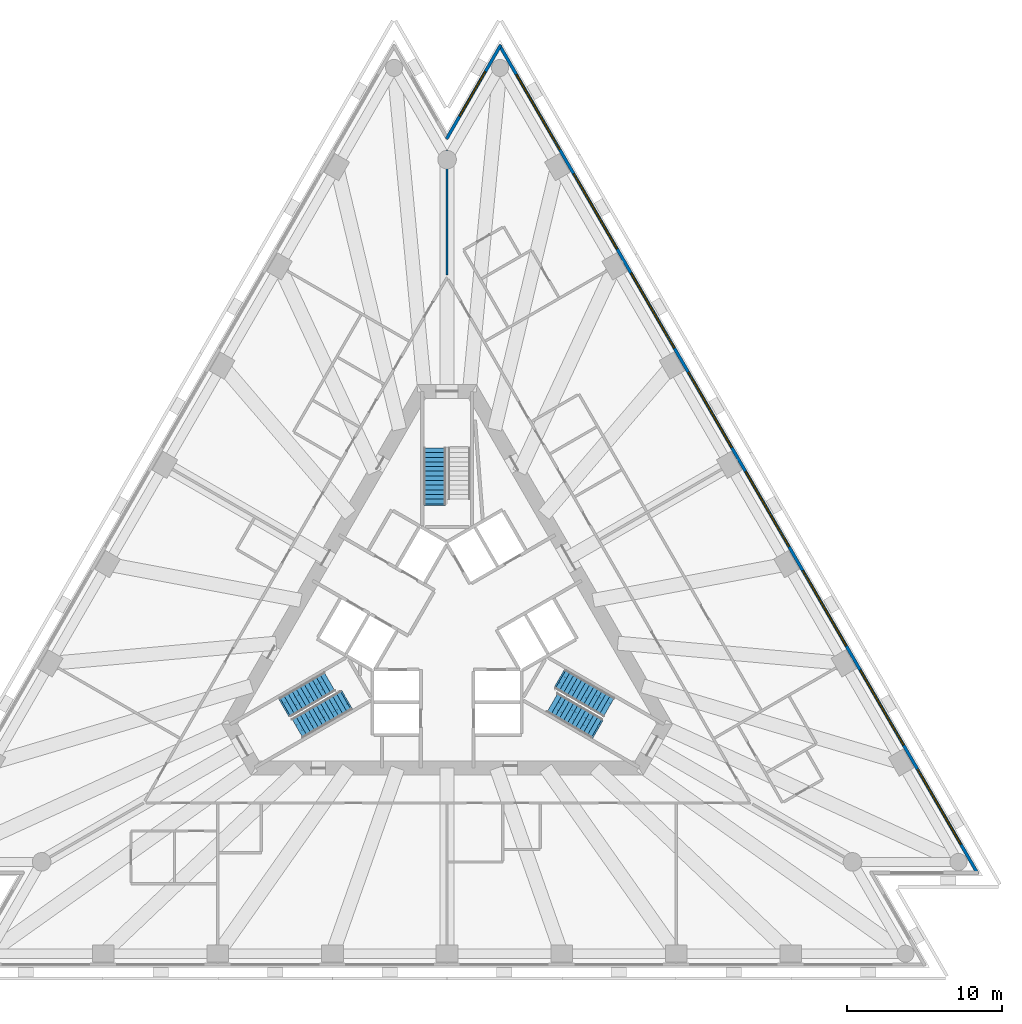
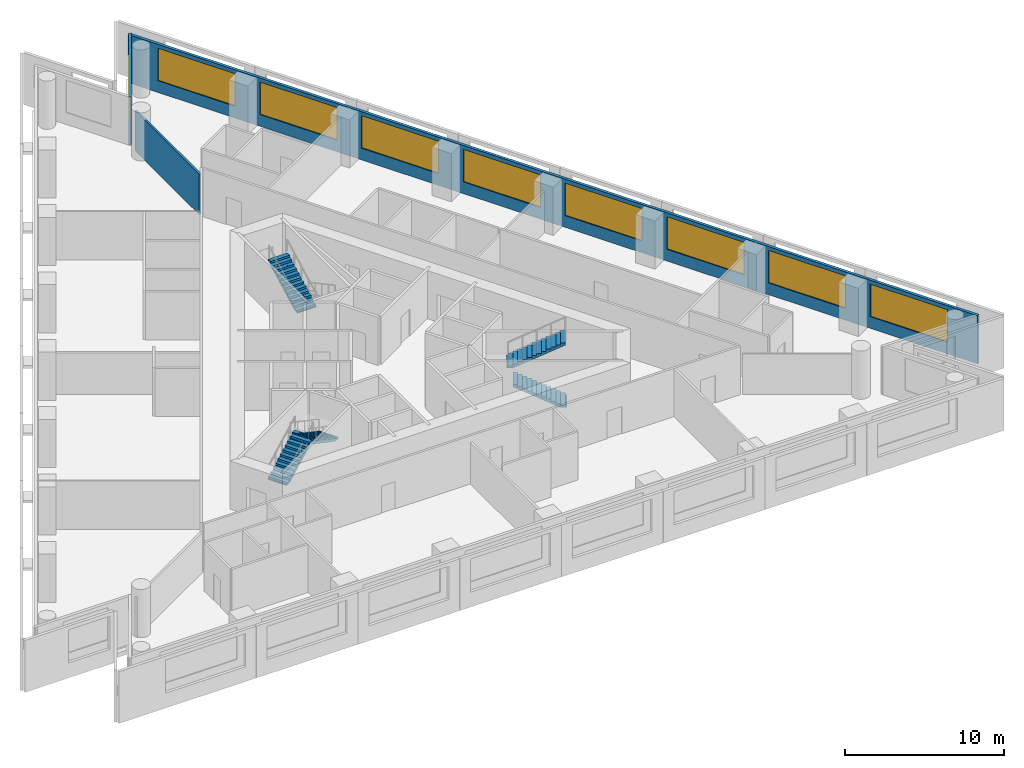
# One storey, part 8 of 11: 9 windows, 5 stair flights, 3 walls, 9 openings, 3 elements without a shape of their own.
"""IFC4 building model written with IfcOpenShell, lengths in metres."""

from ifc_helpers import new_model, si_unit, direction, frame, frame_2d, origin, place, context, subcontext, project, spatial, polyline, rectangle, outline, extrude, material, layer, layer_set, layer_usage, type_object, element, fill, aggregate, save


model = new_model("IFC4")

# Units and contexts
model_context = context("Model", 3, precision=1e-05, world=origin(), true_north=direction((0.0, 1.0)))
body_context = subcontext(model_context, "Body", "Model", "MODEL_VIEW")
ifc_project = project(units=[si_unit("LENGTHUNIT", "METRE"), si_unit("AREAUNIT", "SQUARE_METRE"), si_unit("VOLUMEUNIT", "CUBIC_METRE"), si_unit("PLANEANGLEUNIT", "RADIAN"), si_unit("MASSUNIT", "GRAM", prefix="KILO")], contexts=[model_context])

# Site, building, storey
site_placement = place(None, origin())
site = spatial("IfcSite", under=ifc_project, at=site_placement, CompositionType="ELEMENT")
building_placement = place(site_placement, origin())
building = spatial("IfcBuilding", under=site, at=building_placement, Name="Triada Interchange Tower", CompositionType="ELEMENT")
storey_placement = place(building_placement, frame((0.0, 0.0, 63.300048828125)))
storey = spatial("IfcBuildingStorey", under=building, at=storey_placement, Name="L13", CompositionType="ELEMENT", Elevation=63.300048828125)

# Wall, openings, windows
ifc_material_1 = material(Name="Cement board")
ifc_layer_1 = layer(ifc_material_1, 0.02001953125, Name="Cement board cladding")
ifc_material_2 = material(Name="Sheathing board")
ifc_layer_2 = layer(ifc_material_2, 0.014892578125, Name="Sheathing board")
ifc_material_3 = material(Name="Mineral wool")
ifc_layer_3 = layer(ifc_material_3, 0.14990234375, Name="Mineral wool between steel studs")
ifc_material_4 = material(Name="Gypsum board")
ifc_layer_4 = layer(ifc_material_4, 0.014892578125, Name="Plasterboard lining")
ifc_layer_set_1 = layer_set([ifc_layer_1, ifc_layer_2, ifc_layer_3, ifc_layer_4], Name="External wall 200")
ifc_layer_usage = layer_usage(ifc_layer_set_1, "AXIS2", "POSITIVE", -0.10009765625)
wall_type_1 = type_object("IfcWallType", Name="External wall 200", PredefinedType="ELEMENTEDWALL", material=ifc_layer_set_1)
wall_1_placement = place(storey_placement, frame((34.240966796875, -15.8759765625, 0.0), z_axis=(0.0, 0.0, 1.0), x_axis=(-0.500006313899, 0.866021758423, 0.0)))
wall_1 = element("IfcWall", 1, at=wall_1_placement, inside=storey, type_object=wall_type_1, material=ifc_layer_usage, Name="External wall L13 NE", PredefinedType="ELEMENTEDWALL", context=body_context, shape_type="SweptSolid", body=[
    extrude(rectangle(XDim=61.718994140625, YDim=0.199951171875, at=frame_2d((30.859375, 0.0))), origin(), (0.0, 0.0, 1.0), 3.699951171875),
])
opening_1_placement = place(wall_1_placement, frame((2.198974609375, 0.0, 0.89990234375)))
opening_1 = element("IfcOpeningElement", 2, at=opening_1_placement, cuts=wall_1, Name="Opening WA21", PredefinedType="OPENING", context=body_context, shape_type="SweptSolid", body=[
    extrude(rectangle(XDim=5.60009765625, YDim=2.5, at=frame_2d((2.800048828125, 1.25))), frame((0.0, 0.10986328125, 0.0), z_axis=(0.0, -1.0, 0.0), x_axis=(1.0, 0.0, 0.0)), (0.0, 0.0, 1.0), 0.219970703125),
])
opening_2_placement = place(wall_1_placement, frame((9.590087890625, 0.0, 0.89990234375)))
opening_2 = element("IfcOpeningElement", 3, at=opening_2_placement, cuts=wall_1, Name="Opening WA22", PredefinedType="OPENING", context=body_context, shape_type="SweptSolid", body=[
    extrude(rectangle(XDim=5.60009765625, YDim=2.5, at=frame_2d((2.800048828125, 1.25))), frame((0.0, 0.10986328125, 0.0), z_axis=(0.0, -1.0, 0.0), x_axis=(1.0, 0.0, 0.0)), (0.0, 0.0, 1.0), 0.219970703125),
])
opening_3_placement = place(wall_1_placement, frame((16.98193359375, 0.0, 0.89990234375)))
opening_3 = element("IfcOpeningElement", 4, at=opening_3_placement, cuts=wall_1, Name="Opening WA23", PredefinedType="OPENING", context=body_context, shape_type="SweptSolid", body=[
    extrude(rectangle(XDim=5.60009765625, YDim=2.5, at=frame_2d((2.800048828125, 1.25))), frame((0.0, 0.10986328125, 0.0), z_axis=(0.0, -1.0, 0.0), x_axis=(1.0, 0.0, 0.0)), (0.0, 0.0, 1.0), 0.219970703125),
])
opening_4_placement = place(wall_1_placement, frame((24.3740234375, 0.0, 0.89990234375)))
opening_4 = element("IfcOpeningElement", 5, at=opening_4_placement, cuts=wall_1, Name="Opening WA24", PredefinedType="OPENING", context=body_context, shape_type="SweptSolid", body=[
    extrude(rectangle(XDim=5.60009765625, YDim=2.5, at=frame_2d((2.800048828125, 1.25))), frame((0.0, 0.10986328125, 0.0), z_axis=(0.0, -1.0, 0.0), x_axis=(1.0, 0.0, 0.0)), (0.0, 0.0, 1.0), 0.219970703125),
])
opening_5_placement = place(wall_1_placement, frame((31.764892578125, 0.0, 0.89990234375)))
opening_5 = element("IfcOpeningElement", 6, at=opening_5_placement, cuts=wall_1, Name="Opening WA25", PredefinedType="OPENING", context=body_context, shape_type="SweptSolid", body=[
    extrude(rectangle(XDim=5.60009765625, YDim=2.5, at=frame_2d((2.800048828125, 1.25))), frame((0.0, 0.10986328125, 0.0), z_axis=(0.0, -1.0, 0.0), x_axis=(1.0, 0.0, 0.0)), (0.0, 0.0, 1.0), 0.219970703125),
])
opening_6_placement = place(wall_1_placement, frame((39.156982421875, 0.0, 0.89990234375)))
opening_6 = element("IfcOpeningElement", 7, at=opening_6_placement, cuts=wall_1, Name="Opening WA26", PredefinedType="OPENING", context=body_context, shape_type="SweptSolid", body=[
    extrude(rectangle(XDim=5.60009765625, YDim=2.5, at=frame_2d((2.800048828125, 1.25))), frame((0.0, 0.10986328125, 0.0), z_axis=(0.0, -1.0, 0.0), x_axis=(1.0, 0.0, 0.0)), (0.0, 0.0, 1.0), 0.219970703125),
])
opening_7_placement = place(wall_1_placement, frame((46.549072265625, 0.0, 0.89990234375)))
opening_7 = element("IfcOpeningElement", 8, at=opening_7_placement, cuts=wall_1, Name="Opening WA27", PredefinedType="OPENING", context=body_context, shape_type="SweptSolid", body=[
    extrude(rectangle(XDim=5.60009765625, YDim=2.5, at=frame_2d((2.800048828125, 1.25))), frame((0.0, 0.10986328125, 0.0), z_axis=(0.0, -1.0, 0.0), x_axis=(1.0, 0.0, 0.0)), (0.0, 0.0, 1.0), 0.219970703125),
])
opening_8_placement = place(wall_1_placement, frame((53.93994140625, 0.0, 0.89990234375)))
opening_8 = element("IfcOpeningElement", 9, at=opening_8_placement, cuts=wall_1, Name="Opening WA28", PredefinedType="OPENING", context=body_context, shape_type="SweptSolid", body=[
    extrude(rectangle(XDim=5.60009765625, YDim=2.5, at=frame_2d((2.800048828125, 1.25))), frame((0.0, 0.10986328125, 0.0), z_axis=(0.0, -1.0, 0.0), x_axis=(1.0, 0.0, 0.0)), (0.0, 0.0, 1.0), 0.219970703125),
])
ifc_material_5 = material(Name="Double glazed aluminium window", Category="aluminium")
window_type_1 = type_object("IfcWindowType", Name="Ribbon window A face", PartitioningType="SINGLE_PANEL", PredefinedType="WINDOW", material=ifc_material_5)
window_1_placement = place(opening_1_placement, origin())
window_1 = element("IfcWindow", 10, at=window_1_placement, inside=storey, type_object=window_type_1, Name="Window L13 NE 1", OverallHeight=2.5, OverallWidth=5.60009765625, PartitioningType="SINGLE_PANEL", PredefinedType="WINDOW", context=body_context, shape_type="SweptSolid", body=[
    extrude(rectangle(XDim=5.60009765625, YDim=2.5, at=frame_2d((2.800048828125, 1.25))), frame((0.0, 0.030029296875, 0.0), z_axis=(0.0, -1.0, 0.0), x_axis=(1.0, 0.0, 0.0)), (0.0, 0.0, 1.0), 0.06005859375),
])
fill(opening_1, window_1)
window_2_placement = place(opening_2_placement, origin())
window_2 = element("IfcWindow", 11, at=window_2_placement, inside=storey, type_object=window_type_1, Name="Window L13 NE 2", OverallHeight=2.5, OverallWidth=5.60009765625, PartitioningType="SINGLE_PANEL", PredefinedType="WINDOW", context=body_context, shape_type="SweptSolid", body=[
    extrude(rectangle(XDim=5.60009765625, YDim=2.5, at=frame_2d((2.800048828125, 1.25))), frame((0.0, 0.030029296875, 0.0), z_axis=(0.0, -1.0, 0.0), x_axis=(1.0, 0.0, 0.0)), (0.0, 0.0, 1.0), 0.06005859375),
])
fill(opening_2, window_2)
window_3_placement = place(opening_3_placement, origin())
window_3 = element("IfcWindow", 12, at=window_3_placement, inside=storey, type_object=window_type_1, Name="Window L13 NE 3", OverallHeight=2.5, OverallWidth=5.60009765625, PartitioningType="SINGLE_PANEL", PredefinedType="WINDOW", context=body_context, shape_type="SweptSolid", body=[
    extrude(rectangle(XDim=5.60009765625, YDim=2.5, at=frame_2d((2.800048828125, 1.25))), frame((0.0, 0.030029296875, 0.0), z_axis=(0.0, -1.0, 0.0), x_axis=(1.0, 0.0, 0.0)), (0.0, 0.0, 1.0), 0.06005859375),
])
fill(opening_3, window_3)
window_4_placement = place(opening_4_placement, origin())
window_4 = element("IfcWindow", 13, at=window_4_placement, inside=storey, type_object=window_type_1, Name="Window L13 NE 4", OverallHeight=2.5, OverallWidth=5.60009765625, PartitioningType="SINGLE_PANEL", PredefinedType="WINDOW", context=body_context, shape_type="SweptSolid", body=[
    extrude(rectangle(XDim=5.60009765625, YDim=2.5, at=frame_2d((2.800048828125, 1.25))), frame((0.0, 0.030029296875, 0.0), z_axis=(0.0, -1.0, 0.0), x_axis=(1.0, 0.0, 0.0)), (0.0, 0.0, 1.0), 0.06005859375),
])
fill(opening_4, window_4)
window_5_placement = place(opening_5_placement, origin())
window_5 = element("IfcWindow", 14, at=window_5_placement, inside=storey, type_object=window_type_1, Name="Window L13 NE 5", OverallHeight=2.5, OverallWidth=5.60009765625, PartitioningType="SINGLE_PANEL", PredefinedType="WINDOW", context=body_context, shape_type="SweptSolid", body=[
    extrude(rectangle(XDim=5.60009765625, YDim=2.5, at=frame_2d((2.800048828125, 1.25))), frame((0.0, 0.030029296875, 0.0), z_axis=(0.0, -1.0, 0.0), x_axis=(1.0, 0.0, 0.0)), (0.0, 0.0, 1.0), 0.06005859375),
])
fill(opening_5, window_5)
window_6_placement = place(opening_6_placement, origin())
window_6 = element("IfcWindow", 15, at=window_6_placement, inside=storey, type_object=window_type_1, Name="Window L13 NE 6", OverallHeight=2.5, OverallWidth=5.60009765625, PartitioningType="SINGLE_PANEL", PredefinedType="WINDOW", context=body_context, shape_type="SweptSolid", body=[
    extrude(rectangle(XDim=5.60009765625, YDim=2.5, at=frame_2d((2.800048828125, 1.25))), frame((0.0, 0.030029296875, 0.0), z_axis=(0.0, -1.0, 0.0), x_axis=(1.0, 0.0, 0.0)), (0.0, 0.0, 1.0), 0.06005859375),
])
fill(opening_6, window_6)
window_7_placement = place(opening_7_placement, origin())
window_7 = element("IfcWindow", 16, at=window_7_placement, inside=storey, type_object=window_type_1, Name="Window L13 NE 7", OverallHeight=2.5, OverallWidth=5.60009765625, PartitioningType="SINGLE_PANEL", PredefinedType="WINDOW", context=body_context, shape_type="SweptSolid", body=[
    extrude(rectangle(XDim=5.60009765625, YDim=2.5, at=frame_2d((2.800048828125, 1.25))), frame((0.0, 0.030029296875, 0.0), z_axis=(0.0, -1.0, 0.0), x_axis=(1.0, 0.0, 0.0)), (0.0, 0.0, 1.0), 0.06005859375),
])
fill(opening_7, window_7)
window_8_placement = place(opening_8_placement, origin())
window_8 = element("IfcWindow", 17, at=window_8_placement, inside=storey, type_object=window_type_1, Name="Window L13 NE 8", OverallHeight=2.5, OverallWidth=5.60009765625, PartitioningType="SINGLE_PANEL", PredefinedType="WINDOW", context=body_context, shape_type="SweptSolid", body=[
    extrude(rectangle(XDim=5.60009765625, YDim=2.5, at=frame_2d((2.800048828125, 1.25))), frame((0.0, 0.030029296875, 0.0), z_axis=(0.0, -1.0, 0.0), x_axis=(1.0, 0.0, 0.0)), (0.0, 0.0, 1.0), 0.06005859375),
])
fill(opening_8, window_8)

# Wall, opening, window
wall_2_placement = place(storey_placement, frame((3.4609375, 37.591064453125, 0.0), z_axis=(0.0, 0.0, 1.0), x_axis=(-0.499927968592, -0.866066987143, 0.0)))
wall_2 = element("IfcWall", 18, at=wall_2_placement, inside=storey, type_object=wall_type_1, material=ifc_layer_usage, Name="External wall L13 N-1", PredefinedType="ELEMENTEDWALL", context=body_context, shape_type="SweptSolid", body=[
    extrude(rectangle(XDim=6.99267578125, YDim=0.199951171875, at=frame_2d((3.496337890625, 0.0))), origin(), (0.0, 0.0, 1.0), 3.699951171875),
])
opening_9_placement = place(wall_2_placement, frame((1.989990234375, 0.0, 0.89990234375)))
opening_9 = element("IfcOpeningElement", 19, at=opening_9_placement, cuts=wall_2, Name="Opening WA29", PredefinedType="OPENING", context=body_context, shape_type="SweptSolid", body=[
    extrude(rectangle(XDim=3.300048828125, YDim=2.5, at=frame_2d((1.64990234375, 1.25))), frame((0.0, 0.10986328125, 0.0), z_axis=(0.0, -1.0, 0.0), x_axis=(1.0, 0.0, 0.0)), (0.0, 0.0, 1.0), 0.219970703125),
])
window_type_2 = type_object("IfcWindowType", Name="Ribbon window A pocket", PartitioningType="SINGLE_PANEL", PredefinedType="WINDOW", material=ifc_material_5)
window_9_placement = place(opening_9_placement, origin())
window_9 = element("IfcWindow", 20, at=window_9_placement, inside=storey, type_object=window_type_2, Name="Window L13 N-1 1", OverallHeight=2.5, OverallWidth=3.300048828125, PartitioningType="SINGLE_PANEL", PredefinedType="WINDOW", context=body_context, shape_type="SweptSolid", body=[
    extrude(rectangle(XDim=3.300048828125, YDim=2.5, at=frame_2d((1.64990234375, 1.25))), frame((0.0, 0.030029296875, 0.0), z_axis=(0.0, -1.0, 0.0), x_axis=(1.0, 0.0, 0.0)), (0.0, 0.0, 1.0), 0.06005859375),
])
fill(opening_9, window_9)

# Wall
ifc_material_6 = material(Name="Gypsum board partition")
ifc_layer_5 = layer(ifc_material_6, 0.14990234375)
ifc_layer_set_2 = layer_set([ifc_layer_5], Name="PARTITION 150 EI 180")
wall_type_2 = type_object("IfcWallType", Name="PARTITION 150 EI 180", PredefinedType="PARTITIONING", material=ifc_layer_set_2)
wall_3_placement = place(storey_placement, frame((0.0, 22.75, 0.0), z_axis=(0.0, 0.0, 1.0), x_axis=(0.0, 1.0, 0.0)))
element("IfcWall", 21, at=wall_3_placement, inside=storey, type_object=wall_type_2, Name="Wall L12 19", PredefinedType="PARTITIONING", context=body_context, shape_type="SweptSolid", body=[
    extrude(rectangle(XDim=8.06591796875, YDim=0.14990234375, at=frame_2d((4.032958984375, 0.0))), origin(), (0.0, 0.0, 1.0), 3.099853515625),
])

# Stair, stair flight
ifc_material_7 = material(Name="Concrete C35/45", Category="concrete")
stair_type = type_object("IfcStairType", Name="HALF TURN STAIR 1400", PredefinedType="HALF_TURN_STAIR", material=ifc_material_7)
stair_1_placement = place(storey_placement, origin())
stair_1 = element("IfcStair", 22, at=stair_1_placement, inside=storey, type_object=stair_type, Name="Exit stair S12-1", PredefinedType="HALF_TURN_STAIR")
stair_flight_type = type_object("IfcStairFlightType", Name="STRAIGHT STAIR FLIGHT 1400", PredefinedType="STRAIGHT", material=ifc_material_7)
stair_flight_1_placement = place(storey_placement, frame((-0.800048828125, 8.0, 1.919921875), z_axis=(0.0, 0.0, 1.0), x_axis=(0.0, 1.0, 0.0)))
stair_flight_1 = element("IfcStairFlight", 23, at=stair_flight_1_placement, type_object=stair_flight_type, Name="S12-1 flight 2", NumberOfRisers=13, NumberOfTreads=12, PredefinedType="STRAIGHT", RiserHeight=0.16, TreadLength=0.3, context=body_context, shape_type="SweptSolid", body=[
    extrude(outline(polyline([(-0.10009765625, 0.0), (-0.10009765625, 0.02001953125), (0.0, 0.02001953125), (0.0, 0.159912109375), (0.300048828125, 0.159912109375), (0.300048828125, 0.320068359375), (0.60009765625, 0.320068359375), (0.60009765625, 0.47998046875), (0.89990234375, 0.47998046875), (0.89990234375, 0.639892578125), (1.199951171875, 0.639892578125), (1.199951171875, 0.800048828125), (1.5, 0.800048828125), (1.5, 0.9599609375), (1.800048828125, 0.9599609375), (1.800048828125, 1.1201171875), (2.10009765625, 1.1201171875), (2.10009765625, 1.280029296875), (2.39990234375, 1.280029296875), (2.39990234375, 1.43994140625), (2.699951171875, 1.43994140625), (2.699951171875, 1.60009765625), (3.0, 1.60009765625), (3.0, 1.760009765625), (3.300048828125, 1.760009765625), (3.300048828125, 1.919921875), (3.60009765625, 1.919921875), (3.60400390625, 1.919921875), (3.60400390625, 2.080078125), (3.60400390625, 1.75), (0.318603515625, 0.0), (-0.10009765625, 0.0)])), frame((0.0, 0.699951171875, 0.0), z_axis=(0.0, -1.0, 0.0), x_axis=(1.0, 0.0, 0.0)), (0.0, 0.0, 1.0), 0.46533203125),
    extrude(outline(polyline([(-0.10009765625, 0.0), (-0.10009765625, 0.02001953125), (0.0, 0.02001953125), (0.0, 0.159912109375), (0.300048828125, 0.159912109375), (0.300048828125, 0.320068359375), (0.60009765625, 0.320068359375), (0.60009765625, 0.47998046875), (0.89990234375, 0.47998046875), (0.89990234375, 0.639892578125), (1.199951171875, 0.639892578125), (1.199951171875, 0.800048828125), (1.5, 0.800048828125), (1.5, 0.9599609375), (1.800048828125, 0.9599609375), (1.800048828125, 1.1201171875), (2.10009765625, 1.1201171875), (2.10009765625, 1.280029296875), (2.39990234375, 1.280029296875), (2.39990234375, 1.43994140625), (2.699951171875, 1.43994140625), (2.699951171875, 1.60009765625), (3.0, 1.60009765625), (3.0, 1.760009765625), (3.300048828125, 1.760009765625), (3.300048828125, 1.919921875), (3.60009765625, 1.919921875), (3.60400390625, 1.919921875), (3.60400390625, 2.080078125), (3.60400390625, 1.75), (0.318603515625, 0.0), (-0.10009765625, 0.0)])), frame((0.0, 0.232666015625, 0.0), z_axis=(0.0, -1.0, 0.0), x_axis=(1.0, 0.0, 0.0)), (0.0, 0.0, 1.0), 0.46533203125),
    extrude(outline(polyline([(-0.10009765625, 0.0), (-0.10009765625, 0.02001953125), (0.0, 0.02001953125), (0.0, 0.159912109375), (0.300048828125, 0.159912109375), (0.300048828125, 0.320068359375), (0.60009765625, 0.320068359375), (0.60009765625, 0.47998046875), (0.89990234375, 0.47998046875), (0.89990234375, 0.639892578125), (1.199951171875, 0.639892578125), (1.199951171875, 0.800048828125), (1.5, 0.800048828125), (1.5, 0.9599609375), (1.800048828125, 0.9599609375), (1.800048828125, 1.1201171875), (2.10009765625, 1.1201171875), (2.10009765625, 1.280029296875), (2.39990234375, 1.280029296875), (2.39990234375, 1.43994140625), (2.699951171875, 1.43994140625), (2.699951171875, 1.60009765625), (3.0, 1.60009765625), (3.0, 1.760009765625), (3.300048828125, 1.760009765625), (3.300048828125, 1.919921875), (3.60009765625, 1.919921875), (3.60400390625, 1.919921875), (3.60400390625, 2.080078125), (3.60400390625, 1.75), (0.318603515625, 0.0), (-0.10009765625, 0.0)])), frame((0.0, -0.234619140625, 0.0), z_axis=(0.0, -1.0, 0.0), x_axis=(1.0, 0.0, 0.0)), (0.0, 0.0, 1.0), 0.46533203125),
])
aggregate(stair_1, [stair_flight_1])

# Stair, stair flights
stair_2_placement = place(storey_placement, origin())
stair_2 = element("IfcStair", 24, at=stair_2_placement, inside=storey, type_object=stair_type, Name="Exit stair S12-2", PredefinedType="HALF_TURN_STAIR")
stair_flight_2_placement = place(storey_placement, frame((-10.446044921875, -5.10693359375, 0.0), z_axis=(0.0, 0.0, 1.0), x_axis=(0.866025403784, 0.5, 0.0)))
stair_flight_2 = element("IfcStairFlight", 25, at=stair_flight_2_placement, type_object=stair_flight_type, Name="S12-2 flight 1", NumberOfRisers=12, NumberOfTreads=11, PredefinedType="STRAIGHT", RiserHeight=0.16, TreadLength=0.3, context=body_context, shape_type="SweptSolid", body=[
    extrude(outline(polyline([(-0.10009765625, 0.0), (-0.10009765625, 0.02001953125), (0.0, 0.02001953125), (0.0, 0.159912109375), (0.300048828125, 0.159912109375), (0.300048828125, 0.320068359375), (0.60009765625, 0.320068359375), (0.60009765625, 0.47998046875), (0.89990234375, 0.47998046875), (0.89990234375, 0.639892578125), (1.199951171875, 0.639892578125), (1.199951171875, 0.800048828125), (1.5, 0.800048828125), (1.5, 0.9599609375), (1.800048828125, 0.9599609375), (1.800048828125, 1.1201171875), (2.10009765625, 1.1201171875), (2.10009765625, 1.280029296875), (2.39990234375, 1.280029296875), (2.39990234375, 1.43994140625), (2.699951171875, 1.43994140625), (2.699951171875, 1.60009765625), (3.0, 1.60009765625), (3.0, 1.760009765625), (3.300048828125, 1.760009765625), (3.303955078125, 1.760009765625), (3.303955078125, 1.919921875), (3.303955078125, 1.590087890625), (0.318603515625, 0.0), (-0.10009765625, 0.0)])), frame((0.0, 0.699951171875, 0.0), z_axis=(0.0, -1.0, 0.0), x_axis=(1.0, 0.0, 0.0)), (0.0, 0.0, 1.0), 0.46533203125),
    extrude(outline(polyline([(-0.10009765625, 0.0), (-0.10009765625, 0.02001953125), (0.0, 0.02001953125), (0.0, 0.159912109375), (0.300048828125, 0.159912109375), (0.300048828125, 0.320068359375), (0.60009765625, 0.320068359375), (0.60009765625, 0.47998046875), (0.89990234375, 0.47998046875), (0.89990234375, 0.639892578125), (1.199951171875, 0.639892578125), (1.199951171875, 0.800048828125), (1.5, 0.800048828125), (1.5, 0.9599609375), (1.800048828125, 0.9599609375), (1.800048828125, 1.1201171875), (2.10009765625, 1.1201171875), (2.10009765625, 1.280029296875), (2.39990234375, 1.280029296875), (2.39990234375, 1.43994140625), (2.699951171875, 1.43994140625), (2.699951171875, 1.60009765625), (3.0, 1.60009765625), (3.0, 1.760009765625), (3.300048828125, 1.760009765625), (3.303955078125, 1.760009765625), (3.303955078125, 1.919921875), (3.303955078125, 1.590087890625), (0.318603515625, 0.0), (-0.10009765625, 0.0)])), frame((0.0, 0.232666015625, 0.0), z_axis=(0.0, -1.0, 0.0), x_axis=(1.0, 0.0, 0.0)), (0.0, 0.0, 1.0), 0.46533203125),
    extrude(outline(polyline([(-0.10009765625, 0.0), (-0.10009765625, 0.02001953125), (0.0, 0.02001953125), (0.0, 0.159912109375), (0.300048828125, 0.159912109375), (0.300048828125, 0.320068359375), (0.60009765625, 0.320068359375), (0.60009765625, 0.47998046875), (0.89990234375, 0.47998046875), (0.89990234375, 0.639892578125), (1.199951171875, 0.639892578125), (1.199951171875, 0.800048828125), (1.5, 0.800048828125), (1.5, 0.9599609375), (1.800048828125, 0.9599609375), (1.800048828125, 1.1201171875), (2.10009765625, 1.1201171875), (2.10009765625, 1.280029296875), (2.39990234375, 1.280029296875), (2.39990234375, 1.43994140625), (2.699951171875, 1.43994140625), (2.699951171875, 1.60009765625), (3.0, 1.60009765625), (3.0, 1.760009765625), (3.300048828125, 1.760009765625), (3.303955078125, 1.760009765625), (3.303955078125, 1.919921875), (3.303955078125, 1.590087890625), (0.318603515625, 0.0), (-0.10009765625, 0.0)])), frame((0.0, -0.234619140625, 0.0), z_axis=(0.0, -1.0, 0.0), x_axis=(1.0, 0.0, 0.0)), (0.0, 0.0, 1.0), 0.46533203125),
])
stair_flight_3_placement = place(storey_placement, frame((-6.528076171875, -4.693115234375, 1.919921875), z_axis=(0.0, 0.0, 1.0), x_axis=(-0.866025403784, -0.5, 0.0)))
stair_flight_3 = element("IfcStairFlight", 26, at=stair_flight_3_placement, type_object=stair_flight_type, Name="S12-2 flight 2", NumberOfRisers=13, NumberOfTreads=12, PredefinedType="STRAIGHT", RiserHeight=0.16, TreadLength=0.3, context=body_context, shape_type="SweptSolid", body=[
    extrude(outline(polyline([(-0.10009765625, 0.0), (-0.10009765625, 0.02001953125), (0.0, 0.02001953125), (0.0, 0.159912109375), (0.300048828125, 0.159912109375), (0.300048828125, 0.320068359375), (0.60009765625, 0.320068359375), (0.60009765625, 0.47998046875), (0.89990234375, 0.47998046875), (0.89990234375, 0.639892578125), (1.199951171875, 0.639892578125), (1.199951171875, 0.800048828125), (1.5, 0.800048828125), (1.5, 0.9599609375), (1.800048828125, 0.9599609375), (1.800048828125, 1.1201171875), (2.10009765625, 1.1201171875), (2.10009765625, 1.280029296875), (2.39990234375, 1.280029296875), (2.39990234375, 1.43994140625), (2.699951171875, 1.43994140625), (2.699951171875, 1.60009765625), (3.0, 1.60009765625), (3.0, 1.760009765625), (3.300048828125, 1.760009765625), (3.300048828125, 1.919921875), (3.60009765625, 1.919921875), (3.60400390625, 1.919921875), (3.60400390625, 2.080078125), (3.60400390625, 1.75), (0.318603515625, 0.0), (-0.10009765625, 0.0)])), frame((0.0, 0.699951171875, 0.0), z_axis=(0.0, -1.0, 0.0), x_axis=(1.0, 0.0, 0.0)), (0.0, 0.0, 1.0), 0.46533203125),
    extrude(outline(polyline([(-0.10009765625, 0.0), (-0.10009765625, 0.02001953125), (0.0, 0.02001953125), (0.0, 0.159912109375), (0.300048828125, 0.159912109375), (0.300048828125, 0.320068359375), (0.60009765625, 0.320068359375), (0.60009765625, 0.47998046875), (0.89990234375, 0.47998046875), (0.89990234375, 0.639892578125), (1.199951171875, 0.639892578125), (1.199951171875, 0.800048828125), (1.5, 0.800048828125), (1.5, 0.9599609375), (1.800048828125, 0.9599609375), (1.800048828125, 1.1201171875), (2.10009765625, 1.1201171875), (2.10009765625, 1.280029296875), (2.39990234375, 1.280029296875), (2.39990234375, 1.43994140625), (2.699951171875, 1.43994140625), (2.699951171875, 1.60009765625), (3.0, 1.60009765625), (3.0, 1.760009765625), (3.300048828125, 1.760009765625), (3.300048828125, 1.919921875), (3.60009765625, 1.919921875), (3.60400390625, 1.919921875), (3.60400390625, 2.080078125), (3.60400390625, 1.75), (0.318603515625, 0.0), (-0.10009765625, 0.0)])), frame((0.0, 0.232666015625, 0.0), z_axis=(0.0, -1.0, 0.0), x_axis=(1.0, 0.0, 0.0)), (0.0, 0.0, 1.0), 0.46533203125),
    extrude(outline(polyline([(-0.10009765625, 0.0), (-0.10009765625, 0.02001953125), (0.0, 0.02001953125), (0.0, 0.159912109375), (0.300048828125, 0.159912109375), (0.300048828125, 0.320068359375), (0.60009765625, 0.320068359375), (0.60009765625, 0.47998046875), (0.89990234375, 0.47998046875), (0.89990234375, 0.639892578125), (1.199951171875, 0.639892578125), (1.199951171875, 0.800048828125), (1.5, 0.800048828125), (1.5, 0.9599609375), (1.800048828125, 0.9599609375), (1.800048828125, 1.1201171875), (2.10009765625, 1.1201171875), (2.10009765625, 1.280029296875), (2.39990234375, 1.280029296875), (2.39990234375, 1.43994140625), (2.699951171875, 1.43994140625), (2.699951171875, 1.60009765625), (3.0, 1.60009765625), (3.0, 1.760009765625), (3.300048828125, 1.760009765625), (3.300048828125, 1.919921875), (3.60009765625, 1.919921875), (3.60400390625, 1.919921875), (3.60400390625, 2.080078125), (3.60400390625, 1.75), (0.318603515625, 0.0), (-0.10009765625, 0.0)])), frame((0.0, -0.234619140625, 0.0), z_axis=(0.0, -1.0, 0.0), x_axis=(1.0, 0.0, 0.0)), (0.0, 0.0, 1.0), 0.46533203125),
])
aggregate(stair_2, [stair_flight_2, stair_flight_3])

stair_3_placement = place(storey_placement, origin())
stair_3 = element("IfcStair", 27, at=stair_3_placement, inside=storey, type_object=stair_type, Name="Exit stair S12-3", PredefinedType="HALF_TURN_STAIR")
stair_flight_4_placement = place(storey_placement, frame((9.64599609375, -6.492919921875, 0.0), z_axis=(0.0, 0.0, 1.0), x_axis=(-0.866025403784, 0.5, 0.0)))
stair_flight_4 = element("IfcStairFlight", 28, at=stair_flight_4_placement, type_object=stair_flight_type, Name="S12-3 flight 1", NumberOfRisers=12, NumberOfTreads=11, PredefinedType="STRAIGHT", RiserHeight=0.16, TreadLength=0.3, context=body_context, shape_type="SweptSolid", body=[
    extrude(outline(polyline([(-0.10009765625, 0.0), (-0.10009765625, 0.02001953125), (0.0, 0.02001953125), (0.0, 0.159912109375), (0.300048828125, 0.159912109375), (0.300048828125, 0.320068359375), (0.60009765625, 0.320068359375), (0.60009765625, 0.47998046875), (0.89990234375, 0.47998046875), (0.89990234375, 0.639892578125), (1.199951171875, 0.639892578125), (1.199951171875, 0.800048828125), (1.5, 0.800048828125), (1.5, 0.9599609375), (1.800048828125, 0.9599609375), (1.800048828125, 1.1201171875), (2.10009765625, 1.1201171875), (2.10009765625, 1.280029296875), (2.39990234375, 1.280029296875), (2.39990234375, 1.43994140625), (2.699951171875, 1.43994140625), (2.699951171875, 1.60009765625), (3.0, 1.60009765625), (3.0, 1.760009765625), (3.300048828125, 1.760009765625), (3.303955078125, 1.760009765625), (3.303955078125, 1.919921875), (3.303955078125, 1.590087890625), (0.318603515625, 0.0), (-0.10009765625, 0.0)])), frame((0.0, 0.699951171875, 0.0), z_axis=(0.0, -1.0, 0.0), x_axis=(1.0, 0.0, 0.0)), (0.0, 0.0, 1.0), 0.46533203125),
    extrude(outline(polyline([(-0.10009765625, 0.0), (-0.10009765625, 0.02001953125), (0.0, 0.02001953125), (0.0, 0.159912109375), (0.300048828125, 0.159912109375), (0.300048828125, 0.320068359375), (0.60009765625, 0.320068359375), (0.60009765625, 0.47998046875), (0.89990234375, 0.47998046875), (0.89990234375, 0.639892578125), (1.199951171875, 0.639892578125), (1.199951171875, 0.800048828125), (1.5, 0.800048828125), (1.5, 0.9599609375), (1.800048828125, 0.9599609375), (1.800048828125, 1.1201171875), (2.10009765625, 1.1201171875), (2.10009765625, 1.280029296875), (2.39990234375, 1.280029296875), (2.39990234375, 1.43994140625), (2.699951171875, 1.43994140625), (2.699951171875, 1.60009765625), (3.0, 1.60009765625), (3.0, 1.760009765625), (3.300048828125, 1.760009765625), (3.303955078125, 1.760009765625), (3.303955078125, 1.919921875), (3.303955078125, 1.590087890625), (0.318603515625, 0.0), (-0.10009765625, 0.0)])), frame((0.0, 0.232666015625, 0.0), z_axis=(0.0, -1.0, 0.0), x_axis=(1.0, 0.0, 0.0)), (0.0, 0.0, 1.0), 0.46533203125),
    extrude(outline(polyline([(-0.10009765625, 0.0), (-0.10009765625, 0.02001953125), (0.0, 0.02001953125), (0.0, 0.159912109375), (0.300048828125, 0.159912109375), (0.300048828125, 0.320068359375), (0.60009765625, 0.320068359375), (0.60009765625, 0.47998046875), (0.89990234375, 0.47998046875), (0.89990234375, 0.639892578125), (1.199951171875, 0.639892578125), (1.199951171875, 0.800048828125), (1.5, 0.800048828125), (1.5, 0.9599609375), (1.800048828125, 0.9599609375), (1.800048828125, 1.1201171875), (2.10009765625, 1.1201171875), (2.10009765625, 1.280029296875), (2.39990234375, 1.280029296875), (2.39990234375, 1.43994140625), (2.699951171875, 1.43994140625), (2.699951171875, 1.60009765625), (3.0, 1.60009765625), (3.0, 1.760009765625), (3.300048828125, 1.760009765625), (3.303955078125, 1.760009765625), (3.303955078125, 1.919921875), (3.303955078125, 1.590087890625), (0.318603515625, 0.0), (-0.10009765625, 0.0)])), frame((0.0, -0.234619140625, 0.0), z_axis=(0.0, -1.0, 0.0), x_axis=(1.0, 0.0, 0.0)), (0.0, 0.0, 1.0), 0.46533203125),
])
stair_flight_5_placement = place(storey_placement, frame((7.327880859375, -3.306884765625, 1.919921875), z_axis=(0.0, 0.0, 1.0), x_axis=(0.866025403784, -0.5, 0.0)))
stair_flight_5 = element("IfcStairFlight", 29, at=stair_flight_5_placement, type_object=stair_flight_type, Name="S12-3 flight 2", NumberOfRisers=13, NumberOfTreads=12, PredefinedType="STRAIGHT", RiserHeight=0.16, TreadLength=0.3, context=body_context, shape_type="SweptSolid", body=[
    extrude(outline(polyline([(-0.10009765625, 0.0), (-0.10009765625, 0.02001953125), (0.0, 0.02001953125), (0.0, 0.159912109375), (0.300048828125, 0.159912109375), (0.300048828125, 0.320068359375), (0.60009765625, 0.320068359375), (0.60009765625, 0.47998046875), (0.89990234375, 0.47998046875), (0.89990234375, 0.639892578125), (1.199951171875, 0.639892578125), (1.199951171875, 0.800048828125), (1.5, 0.800048828125), (1.5, 0.9599609375), (1.800048828125, 0.9599609375), (1.800048828125, 1.1201171875), (2.10009765625, 1.1201171875), (2.10009765625, 1.280029296875), (2.39990234375, 1.280029296875), (2.39990234375, 1.43994140625), (2.699951171875, 1.43994140625), (2.699951171875, 1.60009765625), (3.0, 1.60009765625), (3.0, 1.760009765625), (3.300048828125, 1.760009765625), (3.300048828125, 1.919921875), (3.60009765625, 1.919921875), (3.60400390625, 1.919921875), (3.60400390625, 2.080078125), (3.60400390625, 1.75), (0.318603515625, 0.0), (-0.10009765625, 0.0)])), frame((0.0, 0.699951171875, 0.0), z_axis=(0.0, -1.0, 0.0), x_axis=(1.0, 0.0, 0.0)), (0.0, 0.0, 1.0), 0.46533203125),
    extrude(outline(polyline([(-0.10009765625, 0.0), (-0.10009765625, 0.02001953125), (0.0, 0.02001953125), (0.0, 0.159912109375), (0.300048828125, 0.159912109375), (0.300048828125, 0.320068359375), (0.60009765625, 0.320068359375), (0.60009765625, 0.47998046875), (0.89990234375, 0.47998046875), (0.89990234375, 0.639892578125), (1.199951171875, 0.639892578125), (1.199951171875, 0.800048828125), (1.5, 0.800048828125), (1.5, 0.9599609375), (1.800048828125, 0.9599609375), (1.800048828125, 1.1201171875), (2.10009765625, 1.1201171875), (2.10009765625, 1.280029296875), (2.39990234375, 1.280029296875), (2.39990234375, 1.43994140625), (2.699951171875, 1.43994140625), (2.699951171875, 1.60009765625), (3.0, 1.60009765625), (3.0, 1.760009765625), (3.300048828125, 1.760009765625), (3.300048828125, 1.919921875), (3.60009765625, 1.919921875), (3.60400390625, 1.919921875), (3.60400390625, 2.080078125), (3.60400390625, 1.75), (0.318603515625, 0.0), (-0.10009765625, 0.0)])), frame((0.0, 0.232666015625, 0.0), z_axis=(0.0, -1.0, 0.0), x_axis=(1.0, 0.0, 0.0)), (0.0, 0.0, 1.0), 0.46533203125),
    extrude(outline(polyline([(-0.10009765625, 0.0), (-0.10009765625, 0.02001953125), (0.0, 0.02001953125), (0.0, 0.159912109375), (0.300048828125, 0.159912109375), (0.300048828125, 0.320068359375), (0.60009765625, 0.320068359375), (0.60009765625, 0.47998046875), (0.89990234375, 0.47998046875), (0.89990234375, 0.639892578125), (1.199951171875, 0.639892578125), (1.199951171875, 0.800048828125), (1.5, 0.800048828125), (1.5, 0.9599609375), (1.800048828125, 0.9599609375), (1.800048828125, 1.1201171875), (2.10009765625, 1.1201171875), (2.10009765625, 1.280029296875), (2.39990234375, 1.280029296875), (2.39990234375, 1.43994140625), (2.699951171875, 1.43994140625), (2.699951171875, 1.60009765625), (3.0, 1.60009765625), (3.0, 1.760009765625), (3.300048828125, 1.760009765625), (3.300048828125, 1.919921875), (3.60009765625, 1.919921875), (3.60400390625, 1.919921875), (3.60400390625, 2.080078125), (3.60400390625, 1.75), (0.318603515625, 0.0), (-0.10009765625, 0.0)])), frame((0.0, -0.234619140625, 0.0), z_axis=(0.0, -1.0, 0.0), x_axis=(1.0, 0.0, 0.0)), (0.0, 0.0, 1.0), 0.46533203125),
])
aggregate(stair_3, [stair_flight_4, stair_flight_5])

save(model, "model.ifc")
